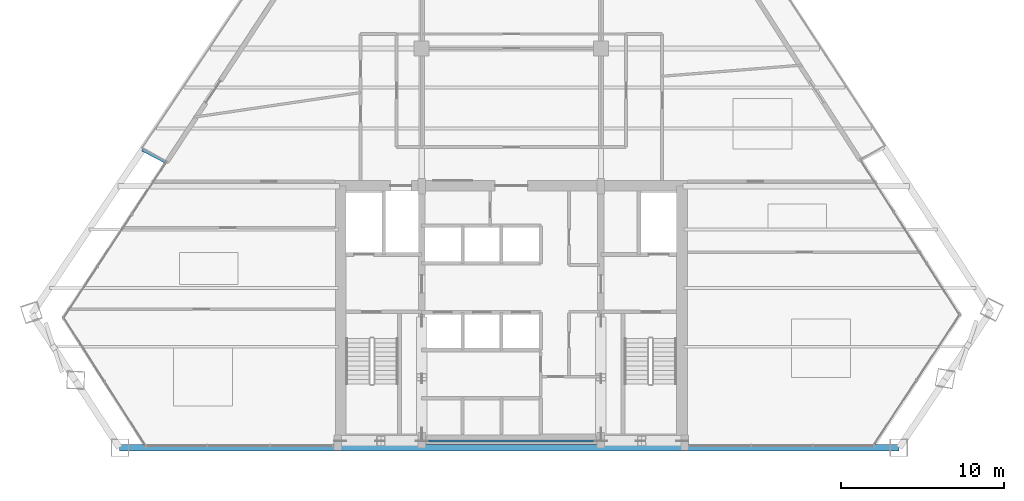
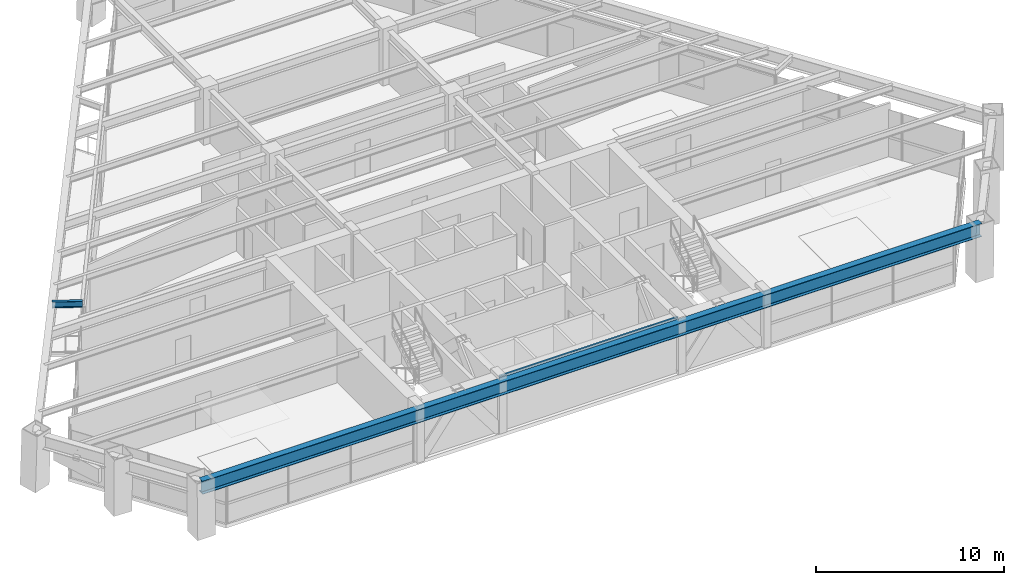
# One storey, part 3 of 14: 3 beams.
"""IFC4 building model written with IfcOpenShell, lengths in metres."""

from ifc_helpers import new_model, si_unit, direction, frame, origin, origin_2d, place, context, subcontext, project, spatial, i_section, extrude, source, transform, mapped, material, material_profile, profile_set, type_object, type_shapes, element, save


model = new_model("IFC4")

# Units and contexts
model_context = context("Model", 3, precision=1e-05, world=origin(), true_north=direction((0.0, 1.0)))
body_context = subcontext(model_context, "Body", "Model", "MODEL_VIEW")
ifc_project = project(units=[si_unit("LENGTHUNIT", "METRE"), si_unit("AREAUNIT", "SQUARE_METRE"), si_unit("VOLUMEUNIT", "CUBIC_METRE"), si_unit("PLANEANGLEUNIT", "RADIAN"), si_unit("MASSUNIT", "GRAM", prefix="KILO")], contexts=[model_context])

# Site, building, storey
site_placement = place(None, origin())
site = spatial("IfcSite", under=ifc_project, at=site_placement, CompositionType="ELEMENT")
building_placement = place(site_placement, origin())
building = spatial("IfcBuilding", under=site, at=building_placement, Name="Varnakhor Terracotta Tower", CompositionType="ELEMENT")
storey_placement = place(building_placement, frame((0.0, 0.0, 125.60009765625)))
storey = spatial("IfcBuildingStorey", under=building, at=storey_placement, Name="L31", CompositionType="ELEMENT", Elevation=125.60009765625)

# Beams
ifc_material = material(Name="Steel S355", Category="steel")
ifc_material_profile_1 = material_profile(ifc_material, i_section(OverallWidth=0.1201171875, OverallDepth=0.239990234375, WebThickness=0.006103515625, FlangeThickness=0.009765625, FilletRadius=0.01806640625, at=origin_2d()), Name="IPE240")
ifc_profile_set_1 = profile_set([ifc_material_profile_1], Name="Steel S355")
beam_type_1 = type_object("IfcBeamType", Name="LNT-IPE240", PredefinedType="LINTEL", material=ifc_profile_set_1)
shared_shape_1 = source(origin(), body_context, "Body", "SweptSolid", [
    extrude(i_section(OverallWidth=0.1201171875, OverallDepth=0.239990234375, WebThickness=0.006103515625, FlangeThickness=0.009765625, FilletRadius=0.01806640625, at=origin_2d()), origin(), (0.0, 0.0, 1.0), 11.0),
])
type_shapes(beam_type_1, [shared_shape_1])
beam_1_placement = place(storey_placement, frame((-5.5, 0.419921875, 3.349853515625), z_axis=(1.0, 0.0, 0.0), x_axis=(0.0, 1.0, 0.0)))
element("IfcBeam", 1, at=beam_1_placement, inside=storey, type_object=beam_type_1, Name="L31 Core South Coupling Lintel", PredefinedType="LINTEL", context=body_context, shape_type="MappedRepresentation", body=[
    mapped(shared_shape_1, transform((0.0, 0.0, 0.0), scale=1.0)),
])
ifc_material_profile_2 = material_profile(ifc_material, i_section(OverallWidth=0.39990234375, OverallDepth=0.85498046875, WebThickness=0.01806640625, FlangeThickness=0.029052734375, FilletRadius=0.01806640625, at=origin_2d()), Name="W33X201")
ifc_profile_set_2 = profile_set([ifc_material_profile_2], Name="Steel S355")
beam_type_2 = type_object("IfcBeamType", Name="BM-W33X201", PredefinedType="BEAM", material=ifc_profile_set_2)
shared_shape_2 = source(origin(), body_context, "Body", "SweptSolid", [
    extrude(i_section(OverallWidth=0.39990234375, OverallDepth=0.85498046875, WebThickness=0.01806640625, FlangeThickness=0.029052734375, FilletRadius=0.01806640625, at=origin_2d()), origin(), (0.0, 0.0, 1.0), 47.865234375),
])
beam_2_placement = place(storey_placement, frame((-24.054931640625, 0.0, 3.04248046875), z_axis=(1.0, 0.0, 0.0), x_axis=(0.0, 1.0, 0.0)))
element("IfcBeam", 2, at=beam_2_placement, inside=storey, type_object=beam_type_2, Name="L31 Perimeter Spandrel 1", PredefinedType="BEAM", context=body_context, shape_type="MappedRepresentation", body=[
    mapped(shared_shape_2, transform((0.0, 0.0, 0.0), scale=1.0)),
])
ifc_material_profile_3 = material_profile(ifc_material, i_section(OverallWidth=0.179931640625, OverallDepth=0.39990234375, WebThickness=0.008544921875, FlangeThickness=0.013427734375, FilletRadius=0.01806640625, at=origin_2d()), Name="IPE400")
ifc_profile_set_3 = profile_set([ifc_material_profile_3], Name="Steel S355")
beam_type_3 = type_object("IfcBeamType", Name="JST-IPE400", PredefinedType="JOIST", material=ifc_profile_set_3)
shared_shape_3 = source(origin(), body_context, "Body", "SweptSolid", [
    extrude(i_section(OverallWidth=0.179931640625, OverallDepth=0.39990234375, WebThickness=0.008544921875, FlangeThickness=0.013427734375, FilletRadius=0.01806640625, at=origin_2d()), origin(), (0.0, 0.0, 1.0), 1.618408203125),
])
beam_3_placement = place(storey_placement, frame((-21.20849609375, 17.541259765625, 3.27001953125), z_axis=(-0.887256313428, 0.461276743703, 0.0), x_axis=(-0.461276743703, -0.887256313428, 0.0)))
element("IfcBeam", 3, at=beam_3_placement, inside=storey, type_object=beam_type_3, Name="L32 W Loggia Tie Beam 1", PredefinedType="JOIST", context=body_context, shape_type="MappedRepresentation", body=[
    mapped(shared_shape_3, transform((0.0, 0.0, 0.0), scale=1.0)),
])

save(model, "model.ifc")
